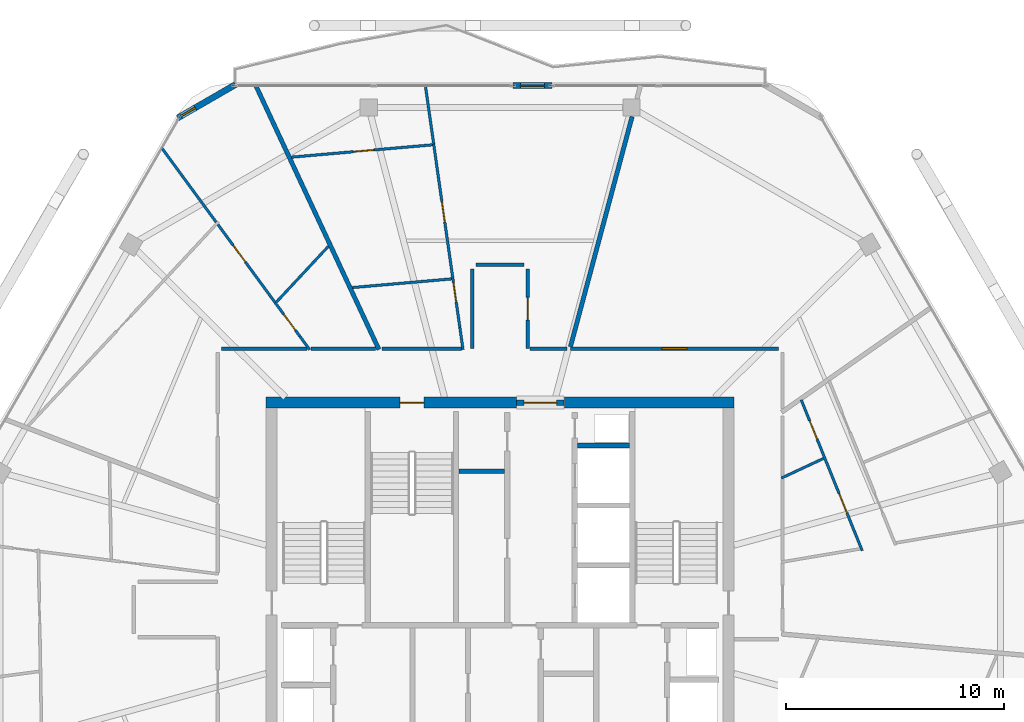
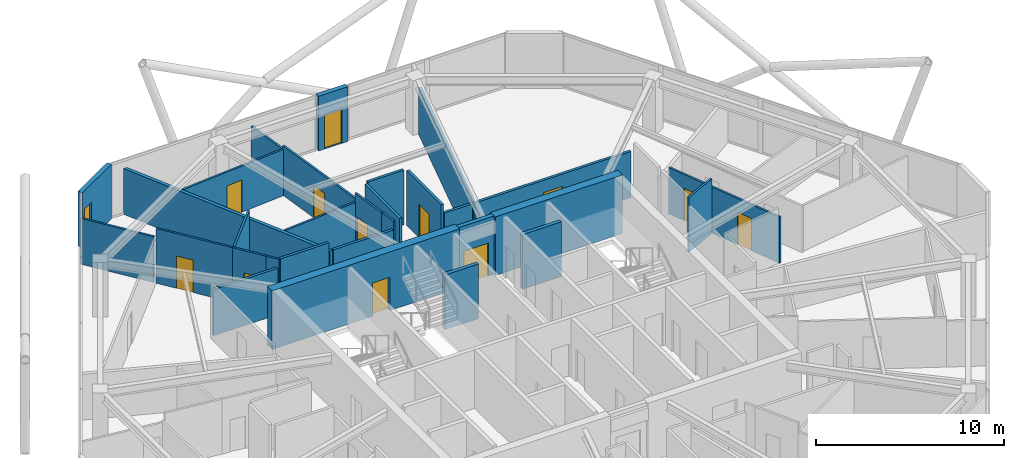
# One storey, part 20 of 23: 30 walls, 12 doors, 1 window, 13 openings.
"""IFC4 building model written with IfcOpenShell, lengths in metres."""

from ifc_helpers import new_model, si_unit, direction, frame, frame_2d, origin, place, context, subcontext, project, spatial, rectangle, extrude, material, layer, layer_set, type_object, element, fill, save


model = new_model("IFC4")

# Units and contexts
model_context = context("Model", 3, precision=1e-05, world=origin(), true_north=direction((0.0, 1.0)))
body_context = subcontext(model_context, "Body", "Model", "MODEL_VIEW")
ifc_project = project(units=[si_unit("LENGTHUNIT", "METRE"), si_unit("AREAUNIT", "SQUARE_METRE"), si_unit("VOLUMEUNIT", "CUBIC_METRE"), si_unit("PLANEANGLEUNIT", "RADIAN"), si_unit("MASSUNIT", "GRAM", prefix="KILO")], contexts=[model_context])

# Site, building, storey
site_placement = place(None, origin())
site = spatial("IfcSite", under=ifc_project, at=site_placement, CompositionType="ELEMENT")
building_placement = place(site_placement, origin())
building = spatial("IfcBuilding", under=site, at=building_placement, Name="Zuhravey Tower", CompositionType="ELEMENT")
storey_placement = place(building_placement, frame((0.0, 0.0, 323.39990234375)))
storey = spatial("IfcBuildingStorey", under=building, at=storey_placement, Name="L82", CompositionType="ELEMENT", Elevation=323.39990234375)

# Wall
ifc_material_1 = material(Name="Concrete C50/60", Category="concrete")
ifc_layer_1 = layer(ifc_material_1, 0.5)
ifc_layer_set_1 = layer_set([ifc_layer_1], Name="Concrete C50/60")
wall_type_1 = type_object("IfcWallType", Name="Core Shear Wall 500", PredefinedType="SHEAR", material=ifc_layer_set_1)
wall_1_placement = place(storey_placement, frame((46.75, 41.5, 0.0), z_axis=(0.0, 0.0, 1.0), x_axis=(-1.0, 0.0, 0.0)))
element("IfcWall", 1, at=wall_1_placement, inside=storey, type_object=wall_type_1, Name="L82 North-East Core Shear Wall CW50", PredefinedType="SHEAR", context=body_context, shape_type="SweptSolid", body=[
    extrude(rectangle(XDim=7.800048828125, YDim=0.5, at=frame_2d((3.89990234375, 0.0))), origin(), (0.0, 0.0, 1.0), 3.800048828125),
])

# Wall, opening, door
wall_2_placement = place(storey_placement, frame((36.75, 41.5, 0.0), z_axis=(0.0, 0.0, 1.0), x_axis=(-1.0, 0.0, 0.0)))
wall_2 = element("IfcWall", 2, at=wall_2_placement, inside=storey, type_object=wall_type_1, Name="L82 North-West Core Shear Wall CW50", PredefinedType="SHEAR", context=body_context, shape_type="SweptSolid", body=[
    extrude(rectangle(XDim=11.5, YDim=0.5, at=frame_2d((5.75, 0.0))), origin(), (0.0, 0.0, 1.0), 3.800048828125),
])
opening_1_placement = place(wall_2_placement, frame((4.25, 0.0, 0.0)))
opening_1 = element("IfcOpeningElement", 3, at=opening_1_placement, cuts=wall_2, Name="Opening STD1", PredefinedType="OPENING", context=body_context, shape_type="SweptSolid", body=[
    extrude(rectangle(XDim=1.10009765625, YDim=2.14990234375, at=frame_2d((0.550048828125, 1.074951171875))), frame((0.0, 0.261962890625, 0.0), z_axis=(0.0, -1.0, 0.0), x_axis=(1.0, 0.0, 0.0)), (0.0, 0.0, 1.0), 0.52392578125),
])
ifc_material_2 = material(Name="Galvanised fire-rated steel leaf", Category="steel")
door_type_1 = type_object("IfcDoorType", Name="Protected Stair Fire Door 1100x2150", OperationType="NOTDEFINED", PredefinedType="USERDEFINED", material=ifc_material_2)
door_1_placement = place(opening_1_placement, origin())
door_1 = element("IfcDoor", 4, at=door_1_placement, inside=storey, type_object=door_type_1, Name="L82 Stair ST3 Door", ObjectType="EXITDOOR", OperationType="SINGLE_SWING_LEFT", OverallHeight=2.14990234375, OverallWidth=1.10009765625, PredefinedType="USERDEFINED", context=body_context, shape_type="SweptSolid", body=[
    extrude(rectangle(XDim=1.10009765625, YDim=2.14990234375, at=frame_2d((0.550048828125, 1.074951171875))), frame((0.0, 0.02490234375, 0.0), z_axis=(0.0, -1.0, 0.0), x_axis=(1.0, 0.0, 0.0)), (0.0, 0.0, 1.0), 0.050048828125),
])
fill(opening_1, door_1)

ifc_material_3 = material(Name="Gypsum fire-rated stud partition")
ifc_layer_2 = layer(ifc_material_3, 0.159912109375)
ifc_layer_set_2 = layer_set([ifc_layer_2], Name="Gypsum fire-rated stud partition")
wall_type_2 = type_object("IfcWallType", Name="Corridor Fire Partition 160", PredefinedType="PARTITIONING", material=ifc_layer_set_2)
wall_3_placement = place(storey_placement, frame((48.800048828125, 43.97998046875, 0.0), z_axis=(0.0, 0.0, 1.0), x_axis=(-1.0, 0.0, 0.0)))
wall_3 = element("IfcWall", 5, at=wall_3_placement, inside=storey, type_object=wall_type_2, Name="L82 IW16 Partition 051", PredefinedType="PARTITIONING", context=body_context, shape_type="SweptSolid", body=[
    extrude(rectangle(XDim=9.5693359375, YDim=0.159912109375, at=frame_2d((4.78466796875, 0.0))), origin(), (0.0, 0.0, 1.0), 3.0),
])
opening_2_placement = place(wall_3_placement, frame((4.209716796875, 0.0, 0.0)))
opening_2 = element("IfcOpeningElement", 6, at=opening_2_placement, cuts=wall_3, Name="Opening CLD1", PredefinedType="OPENING", context=body_context, shape_type="SweptSolid", body=[
    extrude(rectangle(XDim=1.14990234375, YDim=2.199951171875, at=frame_2d((0.574951171875, 1.10009765625))), frame((0.0, 0.092041015625, 0.0), z_axis=(0.0, -1.0, 0.0), x_axis=(1.0, 0.0, 0.0)), (0.0, 0.0, 1.0), 0.183837890625),
])
ifc_material_4 = material(Name="Acoustic timber leaf with vision lite", Category="wood")
door_type_2 = type_object("IfcDoorType", Name="Classroom Acoustic Door 1150x2200", OperationType="NOTDEFINED", PredefinedType="DOOR", material=ifc_material_4)
door_2_placement = place(opening_2_placement, frame((1.14990234375, 0.0, 0.0), z_axis=(0.0, 0.0, 1.0), x_axis=(-1.0, 0.0, 0.0)))
door_2 = element("IfcDoor", 7, at=door_2_placement, inside=storey, type_object=door_type_2, Name="L82 Door 051.1", OperationType="SINGLE_SWING_RIGHT", OverallHeight=2.199951171875, OverallWidth=1.14990234375, PredefinedType="DOOR", context=body_context, shape_type="SweptSolid", body=[
    extrude(rectangle(XDim=1.14990234375, YDim=2.199951171875, at=frame_2d((0.574951171875, 1.10009765625))), frame((0.0, 0.02490234375, 0.0), z_axis=(0.0, -1.0, 0.0), x_axis=(1.0, 0.0, 0.0)), (0.0, 0.0, 1.0), 0.050048828125),
])
fill(opening_2, door_2)

wall_4_placement = place(storey_placement, frame((37.280029296875, 43.97998046875, 0.0), z_axis=(0.0, 0.0, 1.0), x_axis=(0.0, 1.0, 0.0)))
wall_4 = element("IfcWall", 8, at=wall_4_placement, inside=storey, type_object=wall_type_2, Name="L82 IW16 Partition 055", PredefinedType="PARTITIONING", context=body_context, shape_type="SweptSolid", body=[
    extrude(rectangle(XDim=3.669921875, YDim=0.159912109375, at=frame_2d((1.8349609375, 0.0))), origin(), (0.0, 0.0, 1.0), 3.550048828125),
])
opening_3_placement = place(wall_4_placement, frame((1.31005859375, 0.0, 0.0)))
opening_3 = element("IfcOpeningElement", 9, at=opening_3_placement, cuts=wall_4, Name="Opening APD1", PredefinedType="OPENING", context=body_context, shape_type="SweptSolid", body=[
    extrude(rectangle(XDim=1.050048828125, YDim=2.14990234375, at=frame_2d((0.52490234375, 1.074951171875))), frame((0.0, 0.092041015625, 0.0), z_axis=(0.0, -1.0, 0.0), x_axis=(1.0, 0.0, 0.0)), (0.0, 0.0, 1.0), 0.183837890625),
])
ifc_material_5 = material(Name="Solid-core oak fire-rated leaf")
door_type_3 = type_object("IfcDoorType", Name="Apartment Entrance Fire Door 1050x2150", OperationType="NOTDEFINED", PredefinedType="DOOR", material=ifc_material_5)
door_3_placement = place(opening_3_placement, origin())
door_3 = element("IfcDoor", 10, at=door_3_placement, inside=storey, type_object=door_type_3, Name="L82 Door 055.1", OperationType="SINGLE_SWING_RIGHT", OverallHeight=2.14990234375, OverallWidth=1.050048828125, PredefinedType="DOOR", context=body_context, shape_type="SweptSolid", body=[
    extrude(rectangle(XDim=1.050048828125, YDim=2.14990234375, at=frame_2d((0.52490234375, 1.074951171875))), frame((0.0, 0.02490234375, 0.0), z_axis=(0.0, -1.0, 0.0), x_axis=(1.0, 0.0, 0.0)), (0.0, 0.0, 1.0), 0.050048828125),
])
fill(opening_3, door_3)

# Walls
wall_5_placement = place(storey_placement, frame((27.131591796875, 43.97998046875, 0.0), z_axis=(0.0, 0.0, 1.0), x_axis=(-1.0, 0.0, 0.0)))
element("IfcWall", 11, at=wall_5_placement, inside=storey, type_object=wall_type_2, Name="L82 IW16 Partition 093", PredefinedType="PARTITIONING", context=body_context, shape_type="SweptSolid", body=[
    extrude(rectangle(XDim=3.931640625, YDim=0.159912109375, at=frame_2d((1.9658203125, 0.0))), origin(), (0.0, 0.0, 1.0), 3.0),
])
wall_6_placement = place(storey_placement, frame((30.263671875, 43.97998046875, 0.0), z_axis=(0.0, 0.0, 1.0), x_axis=(-1.0, 0.0, 0.0)))
element("IfcWall", 12, at=wall_6_placement, inside=storey, type_object=wall_type_2, Name="L82 IW16 Partition 094", PredefinedType="PARTITIONING", context=body_context, shape_type="SweptSolid", body=[
    extrude(rectangle(XDim=2.96337890625, YDim=0.159912109375, at=frame_2d((1.481689453125, 0.0))), origin(), (0.0, 0.0, 1.0), 3.550048828125),
])
wall_7_placement = place(storey_placement, frame((34.719970703125, 47.64990234375, 0.0), z_axis=(0.0, 0.0, 1.0), x_axis=(0.0, -1.0, 0.0)))
element("IfcWall", 13, at=wall_7_placement, inside=storey, type_object=wall_type_2, Name="L82 IW16 Partition 112", PredefinedType="PARTITIONING", context=body_context, shape_type="SweptSolid", body=[
    extrude(rectangle(XDim=3.669921875, YDim=0.159912109375, at=frame_2d((1.8349609375, 0.0))), origin(), (0.0, 0.0, 1.0), 3.550048828125),
])
wall_8_placement = place(storey_placement, frame((37.10009765625, 47.830078125, 0.0), z_axis=(0.0, 0.0, 1.0), x_axis=(-1.0, 0.0, 0.0)))
element("IfcWall", 14, at=wall_8_placement, inside=storey, type_object=wall_type_2, Name="L82 IW16 Partition 113", PredefinedType="PARTITIONING", context=body_context, shape_type="SweptSolid", body=[
    extrude(rectangle(XDim=2.2001953125, YDim=0.159912109375, at=frame_2d((1.10009765625, 0.0))), origin(), (0.0, 0.0, 1.0), 3.550048828125),
])
wall_9_placement = place(storey_placement, frame((39.07763671875, 43.97998046875, 0.0), z_axis=(0.0, 0.0, 1.0), x_axis=(-1.0, 0.0, 0.0)))
element("IfcWall", 15, at=wall_9_placement, inside=storey, type_object=wall_type_2, Name="L82 IW16 Partition 114", PredefinedType="PARTITIONING", context=body_context, shape_type="SweptSolid", body=[
    extrude(rectangle(XDim=1.709716796875, YDim=0.159912109375, at=frame_2d((0.85498046875, 0.0))), origin(), (0.0, 0.0, 1.0), 3.0),
])
wall_10_placement = place(storey_placement, frame((34.221923828125, 43.97998046875, 0.0), z_axis=(0.0, 0.0, 1.0), x_axis=(-1.0, 0.0, 0.0)))
element("IfcWall", 16, at=wall_10_placement, inside=storey, type_object=wall_type_2, Name="L82 IW16 Partition 115", PredefinedType="PARTITIONING", context=body_context, shape_type="SweptSolid", body=[
    extrude(rectangle(XDim=3.659423828125, YDim=0.159912109375, at=frame_2d((1.82958984375, 0.0))), origin(), (0.0, 0.0, 1.0), 3.0),
])

# Wall, opening, window
ifc_material_6 = material(Name="Precast concrete C40/50", Category="concrete")
ifc_layer_3 = layer(ifc_material_6, 0.280029296875)
ifc_layer_set_3 = layer_set([ifc_layer_3], Name="Precast concrete C40/50")
wall_type_3 = type_object("IfcWallType", Name="Crown Architectural Wall 280", PredefinedType="SOLIDWALL", material=ifc_layer_set_3)
wall_11_placement = place(storey_placement, frame((21.188720703125, 54.589111328125, 0.0), z_axis=(0.0, 0.0, 1.0), x_axis=(0.866023752521, 0.50000286006, 0.0)))
wall_11 = element("IfcWall", 17, at=wall_11_placement, inside=storey, type_object=wall_type_3, Name="L82 Rounded Corner Closure Wall EW28-08", PredefinedType="SOLIDWALL", context=body_context, shape_type="SweptSolid", body=[
    extrude(rectangle(XDim=3.06494140625, YDim=0.280029296875, at=frame_2d((1.532470703125, 0.0))), origin(), (0.0, 0.0, 1.0), 3.550048828125),
])
opening_4_placement = place(wall_11_placement, frame((0.1728515625, 0.0, 0.85009765625)))
opening_4 = element("IfcOpeningElement", 18, at=opening_4_placement, cuts=wall_11, Name="Opening WN5", PredefinedType="OPENING", context=body_context, shape_type="SweptSolid", body=[
    extrude(rectangle(XDim=0.75, YDim=1.5, at=frame_2d((0.375, 0.75))), frame((0.0, 0.152099609375, 0.0), z_axis=(0.0, -1.0, 0.0), x_axis=(1.0, 0.0, 0.0)), (0.0, 0.0, 1.0), 0.303955078125),
])
ifc_material_7 = material(Name="Thermally broken aluminium and triple low-E glass", Category="aluminium")
window_type = type_object("IfcWindowType", Name="Residential Corner Casement Window 750x1500", PartitioningType="SINGLE_PANEL", PredefinedType="WINDOW", material=ifc_material_7)
window_placement = place(opening_4_placement, origin())
window = element("IfcWindow", 19, at=window_placement, inside=storey, type_object=window_type, Name="L82 Corner Casement Window WN5-08.1", OverallHeight=1.5, OverallWidth=0.75, PartitioningType="SINGLE_PANEL", PredefinedType="WINDOW", context=body_context, shape_type="SweptSolid", body=[
    extrude(rectangle(XDim=0.75, YDim=1.5, at=frame_2d((0.375, 0.75))), frame((0.0, 0.030029296875, 0.0), z_axis=(0.0, -1.0, 0.0), x_axis=(1.0, 0.0, 0.0)), (0.0, 0.0, 1.0), 0.06005859375),
])
fill(opening_4, window)

# Wall, opening, door
wall_12_placement = place(storey_placement, frame((36.585693359375, 56.07421875, 0.0), z_axis=(0.0, 0.0, 1.0), x_axis=(1.0, 0.0, 0.0)))
wall_12 = element("IfcWall", 20, at=wall_12_placement, inside=storey, type_object=wall_type_3, Name="L82 Face 2 Facade Pier EW28-1", PredefinedType="SOLIDWALL", context=body_context, shape_type="SweptSolid", body=[
    extrude(rectangle(XDim=1.7900390625, YDim=0.280029296875, at=frame_2d((0.89501953125, 0.0))), origin(), (0.0, 0.0, 1.0), 3.550048828125),
])
opening_5_placement = place(wall_12_placement, frame((0.344970703125, 0.0, 0.0)))
opening_5 = element("IfcOpeningElement", 21, at=opening_5_placement, cuts=wall_12, Name="Opening BLD1", PredefinedType="OPENING", context=body_context, shape_type="SweptSolid", body=[
    extrude(rectangle(XDim=1.10009765625, YDim=2.199951171875, at=frame_2d((0.550048828125, 1.10009765625))), frame((0.0, 0.152099609375, 0.0), z_axis=(0.0, -1.0, 0.0), x_axis=(1.0, 0.0, 0.0)), (0.0, 0.0, 1.0), 0.303955078125),
])
ifc_material_8 = material(Name="Thermally broken aluminium and low-E glass", Category="aluminium")
door_type_4 = type_object("IfcDoorType", Name="Balcony & Sky-Tray Glazed Door 1100x2200", OperationType="NOTDEFINED", PredefinedType="DOOR", material=ifc_material_8)
door_4_placement = place(opening_5_placement, frame((1.10009765625, 0.0, 0.0), z_axis=(0.0, 0.0, 1.0), x_axis=(-1.0, 0.0, 0.0)))
door_4 = element("IfcDoor", 22, at=door_4_placement, inside=storey, type_object=door_type_4, Name="L82 Face 2 Wave Balcony Door", OperationType="SINGLE_SWING_RIGHT", OverallHeight=2.199951171875, OverallWidth=1.10009765625, PredefinedType="DOOR", context=body_context, shape_type="SweptSolid", body=[
    extrude(rectangle(XDim=1.10009765625, YDim=2.199951171875, at=frame_2d((0.550048828125, 1.10009765625))), frame((0.0, 0.02490234375, 0.0), z_axis=(0.0, -1.0, 0.0), x_axis=(1.0, 0.0, 0.0)), (0.0, 0.0, 1.0), 0.050048828125),
])
fill(opening_5, door_4)

ifc_layer_4 = layer(ifc_material_1, 0.25)
ifc_layer_set_4 = layer_set([ifc_layer_4], Name="Concrete C50/60")
wall_type_4 = type_object("IfcWallType", Name="Firefighting Shaft & Stair Wall 250", PredefinedType="SOLIDWALL", material=ifc_layer_set_4)
wall_13_placement = place(storey_placement, frame((36.760009765625, 41.5, 0.0), z_axis=(0.0, 0.0, 1.0), x_axis=(1.0, 0.0, 0.0)))
wall_13 = element("IfcWall", 23, at=wall_13_placement, inside=storey, type_object=wall_type_4, Name="L82 FW25 Shaft Wall 002", PredefinedType="SOLIDWALL", context=body_context, shape_type="SweptSolid", body=[
    extrude(rectangle(XDim=2.179931640625, YDim=0.25, at=frame_2d((1.08984375, 0.0))), origin(), (0.0, 0.0, 1.0), 3.800048828125),
])
opening_6_placement = place(wall_13_placement, frame((0.340087890625, 0.0, 0.0)))
opening_6 = element("IfcOpeningElement", 24, at=opening_6_placement, cuts=wall_13, Name="Opening FFD1", PredefinedType="OPENING", context=body_context, shape_type="SweptSolid", body=[
    extrude(rectangle(XDim=1.5, YDim=2.14990234375, at=frame_2d((0.75, 1.074951171875))), frame((0.0, 0.136962890625, 0.0), z_axis=(0.0, -1.0, 0.0), x_axis=(1.0, 0.0, 0.0)), (0.0, 0.0, 1.0), 0.27392578125),
])
door_type_5 = type_object("IfcDoorType", Name="Firefighting Lobby Double Door 1500x2150", OperationType="DOUBLE_DOOR_SINGLE_SWING", PredefinedType="DOOR", material=ifc_material_2)
door_5_placement = place(opening_6_placement, origin())
door_5 = element("IfcDoor", 25, at=door_5_placement, inside=storey, type_object=door_type_5, Name="L82 North Lift Lobby Exit Door", OperationType="DOUBLE_DOOR_SINGLE_SWING", OverallHeight=2.14990234375, OverallWidth=1.5, PredefinedType="DOOR", context=body_context, shape_type="SweptSolid", body=[
    extrude(rectangle(XDim=1.5, YDim=2.14990234375, at=frame_2d((0.75, 1.074951171875))), frame((0.0, 0.02490234375, 0.0), z_axis=(0.0, -1.0, 0.0), x_axis=(1.0, 0.0, 0.0)), (0.0, 0.0, 1.0), 0.050048828125),
])
fill(opening_6, door_5)

# Walls
ifc_material_9 = material(Name="Gypsum double-stud party assembly")
ifc_layer_5 = layer(ifc_material_9, 0.199951171875)
ifc_layer_set_5 = layer_set([ifc_layer_5], Name="Gypsum double-stud party assembly")
wall_type_5 = type_object("IfcWallType", Name="Inter-Tenancy Party Wall 200", PredefinedType="PARTITIONING", material=ifc_layer_set_5)
wall_14_placement = place(storey_placement, frame((30.432373046875, 43.93994140625, 0.0), z_axis=(0.0, 0.0, 1.0), x_axis=(-0.422611922644, 0.906310742979, 0.0)))
element("IfcWall", 26, at=wall_14_placement, inside=storey, type_object=wall_type_5, Name="L82 IW20 Partition 060", PredefinedType="PARTITIONING", context=body_context, shape_type="SweptSolid", body=[
    extrude(rectangle(XDim=13.388671875, YDim=0.199951171875, at=frame_2d((6.6943359375, 0.0))), origin(), (0.0, 0.0, 1.0), 2.97021484375),
])
wall_15_placement = place(storey_placement, frame((39.233642578125, 44.068115234375, 0.0), z_axis=(0.0, 0.0, 1.0), x_axis=(0.258812989646, 0.965927448823, 0.0)))
element("IfcWall", 27, at=wall_15_placement, inside=storey, type_object=wall_type_5, Name="L82 IW20 Partition 088", PredefinedType="PARTITIONING", context=body_context, shape_type="SweptSolid", body=[
    extrude(rectangle(XDim=10.948974609375, YDim=0.199951171875, at=frame_2d((5.474609375, 0.0))), origin(), (0.0, 0.0, 1.0), 3.0),
])
ifc_material_10 = material(Name="Gypsum acoustic stud assembly")
ifc_layer_6 = layer(ifc_material_10, 0.219970703125)
ifc_layer_set_6 = layer_set([ifc_layer_6], Name="Gypsum acoustic stud assembly")
wall_type_6 = type_object("IfcWallType", Name="School Acoustic Compartment Wall 220", PredefinedType="PARTITIONING", material=ifc_layer_set_6)
wall_16_placement = place(storey_placement, frame((34.10791015625, 38.35009765625, 0.0), z_axis=(0.0, 0.0, 1.0), x_axis=(1.0, 0.0, 0.0)))
element("IfcWall", 28, at=wall_16_placement, inside=storey, type_object=wall_type_6, Name="L82 IW22 Partition 056", PredefinedType="PARTITIONING", context=body_context, shape_type="SweptSolid", body=[
    extrude(rectangle(XDim=2.083984375, YDim=0.219970703125, at=frame_2d((1.0419921875, 0.0))), origin(), (0.0, 0.0, 1.0), 3.550048828125),
])
wall_17_placement = place(storey_placement, frame((39.55810546875, 39.52490234375, 0.0), z_axis=(0.0, 0.0, 1.0), x_axis=(1.0, 0.0, 0.0)))
element("IfcWall", 29, at=wall_17_placement, inside=storey, type_object=wall_type_6, Name="L82 IW22 Partition 059", PredefinedType="PARTITIONING", context=body_context, shape_type="SweptSolid", body=[
    extrude(rectangle(XDim=2.3837890625, YDim=0.219970703125, at=frame_2d((1.19189453125, 0.0))), origin(), (0.0, 0.0, 1.0), 3.550048828125),
])

# Wall, opening, door
ifc_material_11 = material(Name="Gypsum metal-stud partition")
ifc_layer_7 = layer(ifc_material_11, 0.1201171875)
ifc_layer_set_7 = layer_set([ifc_layer_7], Name="Gypsum metal-stud partition")
wall_type_7 = type_object("IfcWallType", Name="Unit Internal Partition 120", PredefinedType="PARTITIONING", material=ifc_layer_set_7)
wall_18_placement = place(storey_placement, frame((26.798095703125, 44.550048828125, 0.0), z_axis=(0.0, 0.0, 1.0), x_axis=(-0.591341620245, 0.80642116054, 0.0)))
wall_18 = element("IfcWall", 30, at=wall_18_placement, inside=storey, type_object=wall_type_7, Name="L82 IW12 Partition 022", PredefinedType="PARTITIONING", context=body_context, shape_type="SweptSolid", body=[
    extrude(rectangle(XDim=1.920654296875, YDim=0.1201171875, at=frame_2d((0.96044921875, 0.0))), origin(), (0.0, 0.0, 1.0), 3.550048828125),
])
opening_7_placement = place(wall_18_placement, frame((0.356689453125, 0.0, 0.0)))
opening_7 = element("IfcOpeningElement", 31, at=opening_7_placement, cuts=wall_18, Name="Opening WCD1", PredefinedType="OPENING", context=body_context, shape_type="SweptSolid", body=[
    extrude(rectangle(XDim=0.89990234375, YDim=2.10009765625, at=frame_2d((0.449951171875, 1.050048828125))), frame((0.0, 0.072021484375, 0.0), z_axis=(0.0, -1.0, 0.0), x_axis=(1.0, 0.0, 0.0)), (0.0, 0.0, 1.0), 0.14404296875),
])
ifc_material_12 = material(Name="Moisture-resistant timber leaf", Category="wood")
door_type_6 = type_object("IfcDoorType", Name="Bathroom & WC Internal Door 900x2100", OperationType="NOTDEFINED", PredefinedType="DOOR", material=ifc_material_12)
door_6_placement = place(opening_7_placement, frame((0.89990234375, 0.0, 0.0), z_axis=(0.0, 0.0, 1.0), x_axis=(-1.0, 0.0, 0.0)))
door_6 = element("IfcDoor", 32, at=door_6_placement, inside=storey, type_object=door_type_6, Name="Apartment L82-01 Bathroom Door", OperationType="SINGLE_SWING_RIGHT", OverallHeight=2.10009765625, OverallWidth=0.89990234375, PredefinedType="DOOR", context=body_context, shape_type="SweptSolid", body=[
    extrude(rectangle(XDim=0.89990234375, YDim=2.10009765625, at=frame_2d((0.449951171875, 1.050048828125))), frame((0.0, 0.02490234375, 0.0), z_axis=(0.0, -1.0, 0.0), x_axis=(1.0, 0.0, 0.0)), (0.0, 0.0, 1.0), 0.050048828125),
])
fill(opening_7, door_6)

wall_19_placement = place(storey_placement, frame((25.662353515625, 46.098876953125, 0.0), z_axis=(0.0, 0.0, 1.0), x_axis=(-0.591311292855, 0.806443398474, 0.0)))
wall_19 = element("IfcWall", 33, at=wall_19_placement, inside=storey, type_object=wall_type_7, Name="L82 IW12 Partition 023", PredefinedType="PARTITIONING", context=body_context, shape_type="SweptSolid", body=[
    extrude(rectangle(XDim=4.4462890625, YDim=0.1201171875, at=frame_2d((2.22314453125, 0.0))), origin(), (0.0, 0.0, 1.0), 3.550048828125),
])
opening_8_placement = place(wall_19_placement, frame((2.314453125, 0.0, 0.0)))
opening_8 = element("IfcOpeningElement", 34, at=opening_8_placement, cuts=wall_19, Name="Opening IND1", PredefinedType="OPENING", context=body_context, shape_type="SweptSolid", body=[
    extrude(rectangle(XDim=0.949951171875, YDim=2.10009765625, at=frame_2d((0.47509765625, 1.050048828125))), frame((0.0, 0.072021484375, 0.0), z_axis=(0.0, -1.0, 0.0), x_axis=(1.0, 0.0, 0.0)), (0.0, 0.0, 1.0), 0.14404296875),
])
ifc_material_13 = material(Name="Painted engineered timber leaf", Category="wood")
door_type_7 = type_object("IfcDoorType", Name="Internal Room & Bedroom Door 950x2100", OperationType="NOTDEFINED", PredefinedType="DOOR", material=ifc_material_13)
door_7_placement = place(opening_8_placement, frame((0.949951171875, 0.0, 0.0), z_axis=(0.0, 0.0, 1.0), x_axis=(-1.0, 0.0, 0.0)))
door_7 = element("IfcDoor", 35, at=door_7_placement, inside=storey, type_object=door_type_7, Name="Apartment L82-01 Bedroom 1 Door", OperationType="SINGLE_SWING_LEFT", OverallHeight=2.10009765625, OverallWidth=0.949951171875, PredefinedType="DOOR", context=body_context, shape_type="SweptSolid", body=[
    extrude(rectangle(XDim=0.949951171875, YDim=2.10009765625, at=frame_2d((0.47509765625, 1.050048828125))), frame((0.0, 0.02490234375, 0.0), z_axis=(0.0, -1.0, 0.0), x_axis=(1.0, 0.0, 0.0)), (0.0, 0.0, 1.0), 0.050048828125),
])
fill(opening_8, door_7)

# Wall
wall_20_placement = place(storey_placement, frame((22.951171875, 49.796142578125, 0.0), z_axis=(0.0, 0.0, 1.0), x_axis=(-0.591303744842, 0.806448932875, 0.0)))
element("IfcWall", 36, at=wall_20_placement, inside=storey, type_object=wall_type_7, Name="L82 IW12 Partition 024", PredefinedType="PARTITIONING", context=body_context, shape_type="SweptSolid", body=[
    extrude(rectangle(XDim=4.239501953125, YDim=0.1201171875, at=frame_2d((2.11962890625, 0.0))), origin(), (0.0, 0.0, 1.0), 2.97021484375),
])

# Wall, openings, doors
wall_21_placement = place(storey_placement, frame((52.644287109375, 34.69580078125, 0.0), z_axis=(0.0, 0.0, 1.0), x_axis=(-0.374926411414, 0.927054575537, 0.0)))
wall_21 = element("IfcWall", 37, at=wall_21_placement, inside=storey, type_object=wall_type_7, Name="L82 IW12 Partition 048", PredefinedType="PARTITIONING", context=body_context, shape_type="SweptSolid", body=[
    extrude(rectangle(XDim=7.482666015625, YDim=0.1201171875, at=frame_2d((3.7412109375, 0.0))), origin(), (0.0, 0.0, 1.0), 3.0),
])
opening_9_placement = place(wall_21_placement, frame((1.876953125, 0.0, 0.0)))
opening_9 = element("IfcOpeningElement", 38, at=opening_9_placement, cuts=wall_21, Name="Opening IND1", PredefinedType="OPENING", context=body_context, shape_type="SweptSolid", body=[
    extrude(rectangle(XDim=0.949951171875, YDim=2.10009765625, at=frame_2d((0.47509765625, 1.050048828125))), frame((0.0, 0.072021484375, 0.0), z_axis=(0.0, -1.0, 0.0), x_axis=(1.0, 0.0, 0.0)), (0.0, 0.0, 1.0), 0.14404296875),
])
opening_10_placement = place(wall_21_placement, frame((5.540771484375, 0.0, 0.0)))
opening_10 = element("IfcOpeningElement", 39, at=opening_10_placement, cuts=wall_21, Name="Opening WCD1", PredefinedType="OPENING", context=body_context, shape_type="SweptSolid", body=[
    extrude(rectangle(XDim=0.89990234375, YDim=2.10009765625, at=frame_2d((0.449951171875, 1.050048828125))), frame((0.0, 0.072021484375, 0.0), z_axis=(0.0, -1.0, 0.0), x_axis=(1.0, 0.0, 0.0)), (0.0, 0.0, 1.0), 0.14404296875),
])
door_8_placement = place(opening_10_placement, origin())
door_8 = element("IfcDoor", 40, at=door_8_placement, inside=storey, type_object=door_type_6, Name="Apartment L82-07 Bathroom Door", OperationType="SINGLE_SWING_RIGHT", OverallHeight=2.10009765625, OverallWidth=0.89990234375, PredefinedType="DOOR", context=body_context, shape_type="SweptSolid", body=[
    extrude(rectangle(XDim=0.89990234375, YDim=2.10009765625, at=frame_2d((0.449951171875, 1.050048828125))), frame((0.0, 0.02490234375, 0.0), z_axis=(0.0, -1.0, 0.0), x_axis=(1.0, 0.0, 0.0)), (0.0, 0.0, 1.0), 0.050048828125),
])
fill(opening_10, door_8)
door_9_placement = place(opening_9_placement, origin())
door_9 = element("IfcDoor", 41, at=door_9_placement, inside=storey, type_object=door_type_7, Name="Apartment L82-07 Kitchen Door", OperationType="SINGLE_SWING_LEFT", OverallHeight=2.10009765625, OverallWidth=0.949951171875, PredefinedType="DOOR", context=body_context, shape_type="SweptSolid", body=[
    extrude(rectangle(XDim=0.949951171875, YDim=2.10009765625, at=frame_2d((0.47509765625, 1.050048828125))), frame((0.0, 0.02490234375, 0.0), z_axis=(0.0, -1.0, 0.0), x_axis=(1.0, 0.0, 0.0)), (0.0, 0.0, 1.0), 0.050048828125),
])
fill(opening_9, door_9)

# Wall, opening, door
wall_22_placement = place(storey_placement, frame((34.14990234375, 44.96630859375, 0.0), z_axis=(0.0, 0.0, 1.0), x_axis=(-0.141196039745, 0.989981655568, 0.0)))
wall_22 = element("IfcWall", 42, at=wall_22_placement, inside=storey, type_object=wall_type_7, Name="L82 IW12 Partition 052", PredefinedType="PARTITIONING", context=body_context, shape_type="SweptSolid", body=[
    extrude(rectangle(XDim=2.275390625, YDim=0.1201171875, at=frame_2d((1.1376953125, 0.0))), origin(), (0.0, 0.0, 1.0), 3.550048828125),
])
opening_11_placement = place(wall_22_placement, frame((1.17529296875, 0.0, 0.0)))
opening_11 = element("IfcOpeningElement", 43, at=opening_11_placement, cuts=wall_22, Name="Opening WCD1", PredefinedType="OPENING", context=body_context, shape_type="SweptSolid", body=[
    extrude(rectangle(XDim=0.89990234375, YDim=2.10009765625, at=frame_2d((0.449951171875, 1.050048828125))), frame((0.0, 0.072021484375, 0.0), z_axis=(0.0, -1.0, 0.0), x_axis=(1.0, 0.0, 0.0)), (0.0, 0.0, 1.0), 0.14404296875),
])
door_10_placement = place(opening_11_placement, origin())
door_10 = element("IfcDoor", 44, at=door_10_placement, inside=storey, type_object=door_type_6, Name="Apartment L82-09 Bathroom Door", OperationType="SINGLE_SWING_LEFT", OverallHeight=2.10009765625, OverallWidth=0.89990234375, PredefinedType="DOOR", context=body_context, shape_type="SweptSolid", body=[
    extrude(rectangle(XDim=0.89990234375, YDim=2.10009765625, at=frame_2d((0.449951171875, 1.050048828125))), frame((0.0, 0.02490234375, 0.0), z_axis=(0.0, -1.0, 0.0), x_axis=(1.0, 0.0, 0.0)), (0.0, 0.0, 1.0), 0.050048828125),
])
fill(opening_11, door_10)

wall_23_placement = place(storey_placement, frame((33.82861328125, 47.218994140625, 0.0), z_axis=(0.0, 0.0, 1.0), x_axis=(-0.141245630481, 0.989974581426, 0.0)))
wall_23 = element("IfcWall", 45, at=wall_23_placement, inside=storey, type_object=wall_type_7, Name="L82 IW12 Partition 053", PredefinedType="PARTITIONING", context=body_context, shape_type="SweptSolid", body=[
    extrude(rectangle(XDim=6.224365234375, YDim=0.1201171875, at=frame_2d((3.1123046875, 0.0))), origin(), (0.0, 0.0, 1.0), 3.2001953125),
])
opening_12_placement = place(wall_23_placement, frame((2.612060546875, 0.0, 0.0)))
opening_12 = element("IfcOpeningElement", 46, at=opening_12_placement, cuts=wall_23, Name="Opening IND1", PredefinedType="OPENING", context=body_context, shape_type="SweptSolid", body=[
    extrude(rectangle(XDim=0.949951171875, YDim=2.10009765625, at=frame_2d((0.47509765625, 1.050048828125))), frame((0.0, 0.072021484375, 0.0), z_axis=(0.0, -1.0, 0.0), x_axis=(1.0, 0.0, 0.0)), (0.0, 0.0, 1.0), 0.14404296875),
])
door_11_placement = place(opening_12_placement, origin())
door_11 = element("IfcDoor", 47, at=door_11_placement, inside=storey, type_object=door_type_7, Name="Apartment L82-09 Home Office Door", OperationType="SINGLE_SWING_RIGHT", OverallHeight=2.10009765625, OverallWidth=0.949951171875, PredefinedType="DOOR", context=body_context, shape_type="SweptSolid", body=[
    extrude(rectangle(XDim=0.949951171875, YDim=2.10009765625, at=frame_2d((0.47509765625, 1.050048828125))), frame((0.0, 0.02490234375, 0.0), z_axis=(0.0, -1.0, 0.0), x_axis=(1.0, 0.0, 0.0)), (0.0, 0.0, 1.0), 0.050048828125),
])
fill(opening_12, door_11)

wall_24_placement = place(storey_placement, frame((32.885009765625, 53.35009765625, 0.0), z_axis=(0.0, 0.0, 1.0), x_axis=(-0.996192737693, -0.087178147311, 0.0)))
wall_24 = element("IfcWall", 48, at=wall_24_placement, inside=storey, type_object=wall_type_7, Name="L82 IW12 Partition 054", PredefinedType="PARTITIONING", context=body_context, shape_type="SweptSolid", body=[
    extrude(rectangle(XDim=6.491455078125, YDim=0.1201171875, at=frame_2d((3.24560546875, 0.0))), origin(), (0.0, 0.0, 1.0), 3.0),
])
opening_13_placement = place(wall_24_placement, frame((2.6865234375, 0.0, 0.0)))
opening_13 = element("IfcOpeningElement", 49, at=opening_13_placement, cuts=wall_24, Name="Opening IND1", PredefinedType="OPENING", context=body_context, shape_type="SweptSolid", body=[
    extrude(rectangle(XDim=0.949951171875, YDim=2.10009765625, at=frame_2d((0.47509765625, 1.050048828125))), frame((0.0, 0.072021484375, 0.0), z_axis=(0.0, -1.0, 0.0), x_axis=(1.0, 0.0, 0.0)), (0.0, 0.0, 1.0), 0.14404296875),
])
door_12_placement = place(opening_13_placement, frame((0.949951171875, 0.0, 0.0), z_axis=(0.0, 0.0, 1.0), x_axis=(-1.0, 0.0, 0.0)))
door_12 = element("IfcDoor", 50, at=door_12_placement, inside=storey, type_object=door_type_7, Name="Apartment L82-09 Bedroom 1 Door", OperationType="SINGLE_SWING_LEFT", OverallHeight=2.10009765625, OverallWidth=0.949951171875, PredefinedType="DOOR", context=body_context, shape_type="SweptSolid", body=[
    extrude(rectangle(XDim=0.949951171875, YDim=2.10009765625, at=frame_2d((0.47509765625, 1.050048828125))), frame((0.0, 0.02490234375, 0.0), z_axis=(0.0, -1.0, 0.0), x_axis=(1.0, 0.0, 0.0)), (0.0, 0.0, 1.0), 0.050048828125),
])
fill(opening_13, door_12)

# Walls
wall_25_placement = place(storey_placement, frame((27.248779296875, 43.93505859375, 0.0), z_axis=(0.0, 0.0, 1.0), x_axis=(-0.591099878677, 0.806598371824, 0.0)))
element("IfcWall", 51, at=wall_25_placement, inside=storey, type_object=wall_type_7, Name="L82 IW12 Partition 061", PredefinedType="PARTITIONING", context=body_context, shape_type="SweptSolid", body=[
    extrude(rectangle(XDim=0.762451171875, YDim=0.1201171875, at=frame_2d((0.38134765625, 0.0))), origin(), (0.0, 0.0, 1.0), 3.550048828125),
])
wall_26_placement = place(storey_placement, frame((28.10302734375, 48.6796875, 0.0), z_axis=(0.0, 0.0, 1.0), x_axis=(-0.681964001054, -0.731385740404, 0.0)))
element("IfcWall", 52, at=wall_26_placement, inside=storey, type_object=wall_type_7, Name="L82 IW12 Partition 062", PredefinedType="PARTITIONING", context=body_context, shape_type="SweptSolid", body=[
    extrude(rectangle(XDim=3.487548828125, YDim=0.1201171875, at=frame_2d((1.74365234375, 0.0))), origin(), (0.0, 0.0, 1.0), 3.550048828125),
])
wall_27_placement = place(storey_placement, frame((48.929931640625, 38.033447265625, 0.0), z_axis=(0.0, 0.0, 1.0), x_axis=(0.906197801286, 0.422854046857, 0.0)))
element("IfcWall", 53, at=wall_27_placement, inside=storey, type_object=wall_type_7, Name="L82 IW12 Partition 083", PredefinedType="PARTITIONING", context=body_context, shape_type="SweptSolid", body=[
    extrude(rectangle(XDim=2.126953125, YDim=0.1201171875, at=frame_2d((1.0634765625, 0.0))), origin(), (0.0, 0.0, 1.0), 3.550048828125),
])
wall_28_placement = place(storey_placement, frame((34.297119140625, 43.935302734375, 0.0), z_axis=(0.0, 0.0, 1.0), x_axis=(-0.141355718114, 0.989958868316, 0.0)))
element("IfcWall", 54, at=wall_28_placement, inside=storey, type_object=wall_type_7, Name="L82 IW12 Partition 090", PredefinedType="PARTITIONING", context=body_context, shape_type="SweptSolid", body=[
    extrude(rectangle(XDim=1.04150390625, YDim=0.1201171875, at=frame_2d((0.520751953125, 0.0))), origin(), (0.0, 0.0, 1.0), 3.550048828125),
])
wall_29_placement = place(storey_placement, frame((32.949462890625, 53.380859375, 0.0), z_axis=(0.0, 0.0, 1.0), x_axis=(-0.141258329488, 0.989972769499, 0.0)))
element("IfcWall", 55, at=wall_29_placement, inside=storey, type_object=wall_type_7, Name="L82 IW12 Partition 091", PredefinedType="PARTITIONING", context=body_context, shape_type="SweptSolid", body=[
    extrude(rectangle(XDim=2.7255859375, YDim=0.1201171875, at=frame_2d((1.36279296875, 0.0))), origin(), (0.0, 0.0, 1.0), 2.97021484375),
])
wall_30_placement = place(storey_placement, frame((33.764404296875, 47.18798828125, 0.0), z_axis=(0.0, 0.0, 1.0), x_axis=(-0.996198075211, -0.087117133479, 0.0)))
element("IfcWall", 56, at=wall_30_placement, inside=storey, type_object=wall_type_7, Name="L82 IW12 Partition 092", PredefinedType="PARTITIONING", context=body_context, shape_type="SweptSolid", body=[
    extrude(rectangle(XDim=4.5595703125, YDim=0.1201171875, at=frame_2d((2.27978515625, 0.0))), origin(), (0.0, 0.0, 1.0), 3.0),
])

save(model, "model.ifc")
